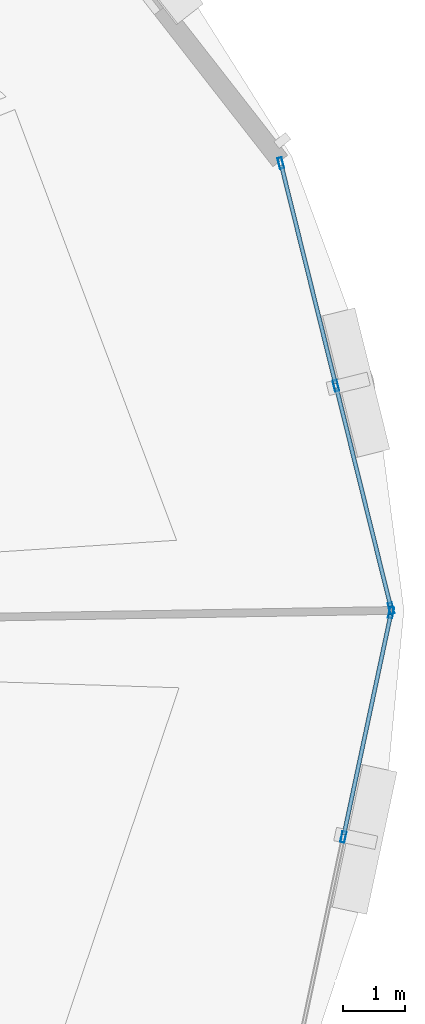
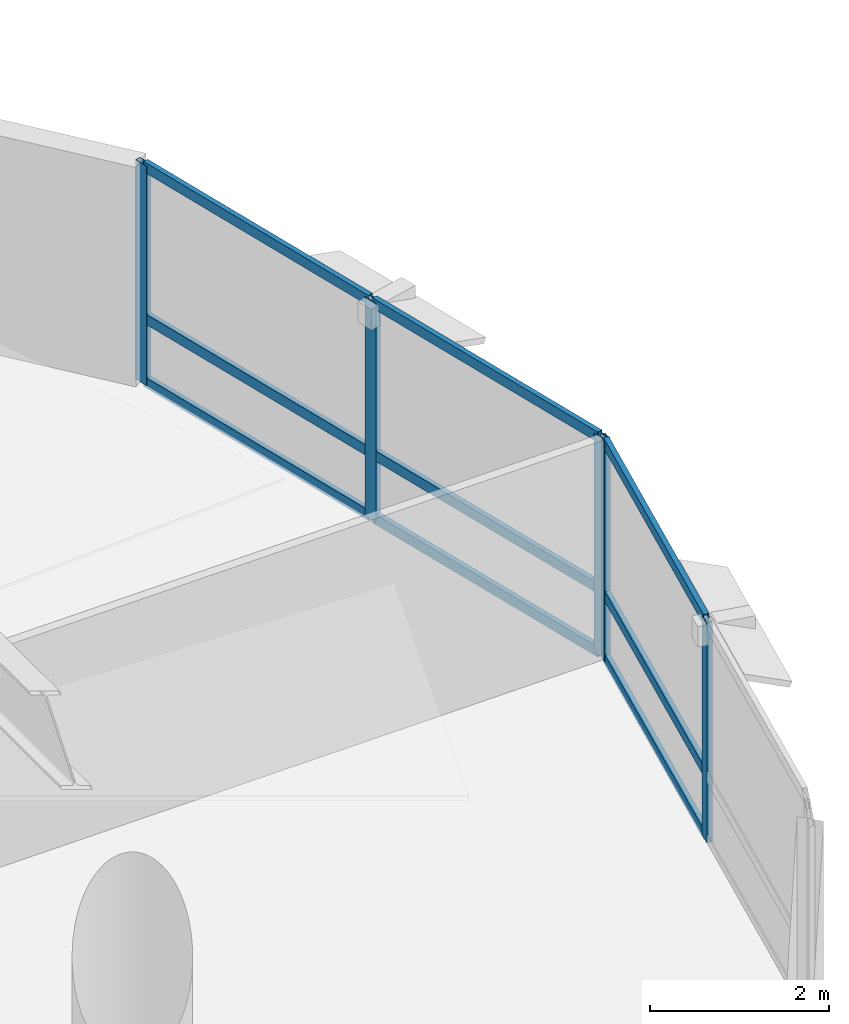
# One storey, part 10 of 17: 14 members, 2 elements without a shape of their own.
"""IFC4 building model written with IfcOpenShell, lengths in metres."""

from ifc_helpers import new_model, si_unit, direction, frame, origin, origin_2d, place, context, subcontext, project, spatial, hollow_rectangle, extrude, material, layer, layer_set, material_profile, profile_set, type_object, element, aggregate, save


model = new_model("IFC4")

# Units and contexts
model_context = context("Model", 3, precision=1e-05, world=origin(), true_north=direction((0.0, 1.0)))
body_context = subcontext(model_context, "Body", "Model", "MODEL_VIEW")
ifc_project = project(units=[si_unit("LENGTHUNIT", "METRE"), si_unit("AREAUNIT", "SQUARE_METRE"), si_unit("VOLUMEUNIT", "CUBIC_METRE"), si_unit("PLANEANGLEUNIT", "RADIAN"), si_unit("MASSUNIT", "GRAM", prefix="KILO"), si_unit("THERMODYNAMICTEMPERATUREUNIT", "KELVIN"), si_unit("POWERUNIT", "WATT")], contexts=[model_context])

# Site, building, storey
site_placement = place(None, origin())
site = spatial("IfcSite", under=ifc_project, at=site_placement, CompositionType="ELEMENT")
building_placement = place(site_placement, origin())
building = spatial("IfcBuilding", under=site, at=building_placement, Name="Ocrelia Relay Tower", CompositionType="ELEMENT")
storey_placement = place(building_placement, frame((0.0, 0.0, 34.199951171875)))
storey = spatial("IfcBuildingStorey", under=building, at=storey_placement, Name="L07", CompositionType="ELEMENT", Elevation=34.199951171875)

# Curtain wall, members
ifc_material_1 = material(Name="Aluminium and solar-control low-E glass", Category="aluminium")
ifc_layer = layer(ifc_material_1, 0.179931640625, Name="Aluminium and solar-control low-E glass")
ifc_layer_set = layer_set([ifc_layer], Name="Aluminium and solar-control low-E glass")
curtain_wall_type = type_object("IfcCurtainWallType", Name="CW-SYS-Z1-DATA", PredefinedType="NOTDEFINED", material=ifc_layer_set)
curtain_wall_1_placement = place(storey_placement, origin())
curtain_wall_1 = element("IfcCurtainWall", 1, at=curtain_wall_1_placement, inside=storey, type_object=curtain_wall_type, Name="L07 Elliptical Tower Curtain Wall Bay 01", PredefinedType="NOTDEFINED")
ifc_material_2 = material(Name="Anodised bronze aluminium", Category="aluminium")
ifc_material_profile_1 = material_profile(ifc_material_2, hollow_rectangle(XDim=0.070068359375, YDim=0.179931640625, WallThickness=0.006103515625, at=origin_2d()), Name="CW-MUL-180x70")
ifc_profile_set_1 = profile_set([ifc_material_profile_1], Name="Anodised bronze aluminium")
member_type_1 = type_object("IfcMemberType", Name="CW-SYS-Z1-DATA-MUL", PredefinedType="MULLION", material=ifc_profile_set_1)
member_1_placement = place(storey_placement, frame((61.787841796875, 26.494873046875, 0.0), z_axis=(0.0, 0.0, 1.0), x_axis=(-0.970674438779, -0.240397865841, 0.0)))
member_1 = element("IfcMember", 2, at=member_1_placement, type_object=member_type_1, Name="CW-Z1 mullion 1", PredefinedType="MULLION", context=body_context, shape_type="SweptSolid", body=[
    extrude(hollow_rectangle(XDim=0.070068359375, YDim=0.179931640625, WallThickness=0.006103515625, at=origin_2d()), origin(), (0.0, 0.0, 1.0), 3.0),
])
member_2_placement = place(storey_placement, frame((60.897705078125, 30.089111328125, 0.0), z_axis=(0.0, 0.0, 1.0), x_axis=(-0.970674438779, -0.240397865841, 0.0)))
member_2 = element("IfcMember", 3, at=member_2_placement, type_object=member_type_1, Name="CW-Z1 mullion 2", PredefinedType="MULLION", context=body_context, shape_type="SweptSolid", body=[
    extrude(hollow_rectangle(XDim=0.070068359375, YDim=0.179931640625, WallThickness=0.006103515625, at=origin_2d()), origin(), (0.0, 0.0, 1.0), 3.0),
])
member_3_placement = place(storey_placement, frame((60.007568359375, 33.68310546875, 0.0), z_axis=(0.0, 0.0, 1.0), x_axis=(-0.970674438779, -0.240397865841, 0.0)))
member_3 = element("IfcMember", 4, at=member_3_placement, type_object=member_type_1, Name="CW-Z1 mullion 3", PredefinedType="MULLION", context=body_context, shape_type="SweptSolid", body=[
    extrude(hollow_rectangle(XDim=0.070068359375, YDim=0.179931640625, WallThickness=0.006103515625, at=origin_2d()), origin(), (0.0, 0.0, 1.0), 3.0),
])

curtain_wall_2_placement = place(storey_placement, origin())
curtain_wall_2 = element("IfcCurtainWall", 5, at=curtain_wall_2_placement, inside=storey, type_object=curtain_wall_type, Name="L07 Elliptical Tower Curtain Wall Bay 18", PredefinedType="NOTDEFINED")
member_4_placement = place(storey_placement, frame((61.018310546875, 22.804931640625, 0.0), z_axis=(0.0, 0.0, 1.0), x_axis=(-0.978108709763, 0.208094574378, 0.0)))
member_4 = element("IfcMember", 6, at=member_4_placement, type_object=member_type_1, Name="CW-Z1 mullion 2", PredefinedType="MULLION", context=body_context, shape_type="SweptSolid", body=[
    extrude(hollow_rectangle(XDim=0.070068359375, YDim=0.179931640625, WallThickness=0.006103515625, at=origin_2d()), origin(), (0.0, 0.0, 1.0), 3.0),
])
member_5_placement = place(storey_placement, frame((61.788818359375, 26.4267578125, 0.0), z_axis=(0.0, 0.0, 1.0), x_axis=(-0.978108709763, 0.208094574378, 0.0)))
member_5 = element("IfcMember", 7, at=member_5_placement, type_object=member_type_1, Name="CW-Z1 mullion 3", PredefinedType="MULLION", context=body_context, shape_type="SweptSolid", body=[
    extrude(hollow_rectangle(XDim=0.070068359375, YDim=0.179931640625, WallThickness=0.006103515625, at=origin_2d()), origin(), (0.0, 0.0, 1.0), 3.0),
])

# Member
ifc_material_profile_2 = material_profile(ifc_material_2, hollow_rectangle(XDim=0.06494140625, YDim=0.139892578125, WallThickness=0.0048828125, at=origin_2d()), Name="CW-TRN-140x65")
ifc_profile_set_2 = profile_set([ifc_material_profile_2], Name="Anodised bronze aluminium")
member_type_2 = type_object("IfcMemberType", Name="CW-SYS-Z1-DATA-TRN", PredefinedType="USERDEFINED", material=ifc_profile_set_2)
member_6_placement = place(storey_placement, frame((61.779296875, 26.52880859375, 0.032470703125), z_axis=(-0.240384538469, 0.970677739348, 0.0), x_axis=(-0.970677739348, -0.240384538469, 0.0)))
member_6 = element("IfcMember", 8, at=member_6_placement, type_object=member_type_2, Name="CW-Z1 transom 1.1", ObjectType="TRANSOM", PredefinedType="USERDEFINED", context=body_context, shape_type="SweptSolid", body=[
    extrude(hollow_rectangle(XDim=0.06494140625, YDim=0.139892578125, WallThickness=0.0048828125, at=origin_2d()), origin(), (0.0, 0.0, 1.0), 3.6328125),
])

member_7_placement = place(storey_placement, frame((61.779296875, 26.52880859375, 0.900146484375), z_axis=(-0.240384538469, 0.970677739348, 0.0), x_axis=(-0.970677739348, -0.240384538469, 0.0)))
member_7 = element("IfcMember", 9, at=member_7_placement, type_object=member_type_2, Name="CW-Z1 transom 1.2", ObjectType="TRANSOM", PredefinedType="USERDEFINED", context=body_context, shape_type="SweptSolid", body=[
    extrude(hollow_rectangle(XDim=0.06494140625, YDim=0.139892578125, WallThickness=0.0048828125, at=origin_2d()), origin(), (0.0, 0.0, 1.0), 3.6328125),
])

member_8_placement = place(storey_placement, frame((61.779296875, 26.52880859375, 2.967529296875), z_axis=(-0.240384538469, 0.970677739348, 0.0), x_axis=(-0.970677739348, -0.240384538469, 0.0)))
member_8 = element("IfcMember", 10, at=member_8_placement, type_object=member_type_2, Name="CW-Z1 transom 1.3", ObjectType="TRANSOM", PredefinedType="USERDEFINED", context=body_context, shape_type="SweptSolid", body=[
    extrude(hollow_rectangle(XDim=0.06494140625, YDim=0.139892578125, WallThickness=0.0048828125, at=origin_2d()), origin(), (0.0, 0.0, 1.0), 3.6328125),
])

member_9_placement = place(storey_placement, frame((60.88916015625, 30.123046875, 0.032470703125), z_axis=(-0.240400220296, 0.97067385567, 0.0), x_axis=(-0.97067385567, -0.240400220296, 0.0)))
member_9 = element("IfcMember", 11, at=member_9_placement, type_object=member_type_2, Name="CW-Z1 transom 2.1", ObjectType="TRANSOM", PredefinedType="USERDEFINED", context=body_context, shape_type="SweptSolid", body=[
    extrude(hollow_rectangle(XDim=0.06494140625, YDim=0.139892578125, WallThickness=0.0048828125, at=origin_2d()), origin(), (0.0, 0.0, 1.0), 3.632568359375),
])

member_10_placement = place(storey_placement, frame((60.88916015625, 30.123046875, 0.900146484375), z_axis=(-0.240400220296, 0.97067385567, 0.0), x_axis=(-0.97067385567, -0.240400220296, 0.0)))
member_10 = element("IfcMember", 12, at=member_10_placement, type_object=member_type_2, Name="CW-Z1 transom 2.2", ObjectType="TRANSOM", PredefinedType="USERDEFINED", context=body_context, shape_type="SweptSolid", body=[
    extrude(hollow_rectangle(XDim=0.06494140625, YDim=0.139892578125, WallThickness=0.0048828125, at=origin_2d()), origin(), (0.0, 0.0, 1.0), 3.632568359375),
])

member_11_placement = place(storey_placement, frame((60.88916015625, 30.123046875, 2.967529296875), z_axis=(-0.240400220296, 0.97067385567, 0.0), x_axis=(-0.97067385567, -0.240400220296, 0.0)))
member_11 = element("IfcMember", 13, at=member_11_placement, type_object=member_type_2, Name="CW-Z1 transom 2.3", ObjectType="TRANSOM", PredefinedType="USERDEFINED", context=body_context, shape_type="SweptSolid", body=[
    extrude(hollow_rectangle(XDim=0.06494140625, YDim=0.139892578125, WallThickness=0.0048828125, at=origin_2d()), origin(), (0.0, 0.0, 1.0), 3.632568359375),
])

aggregate(curtain_wall_1, [member_1, member_2, member_3, member_6, member_7, member_8, member_9, member_10, member_11])

member_12_placement = place(storey_placement, frame((61.025634765625, 22.83935546875, 0.032470703125), z_axis=(0.208147317887, 0.97809748699, 0.0), x_axis=(-0.97809748699, 0.208147317887, 0.0)))
member_12 = element("IfcMember", 14, at=member_12_placement, type_object=member_type_2, Name="CW-Z1 transom 2.1", ObjectType="TRANSOM", PredefinedType="USERDEFINED", context=body_context, shape_type="SweptSolid", body=[
    extrude(hollow_rectangle(XDim=0.06494140625, YDim=0.139892578125, WallThickness=0.0048828125, at=origin_2d()), origin(), (0.0, 0.0, 1.0), 3.632568359375),
])

member_13_placement = place(storey_placement, frame((61.025634765625, 22.83935546875, 0.900146484375), z_axis=(0.208147317887, 0.97809748699, 0.0), x_axis=(-0.97809748699, 0.208147317887, 0.0)))
member_13 = element("IfcMember", 15, at=member_13_placement, type_object=member_type_2, Name="CW-Z1 transom 2.2", ObjectType="TRANSOM", PredefinedType="USERDEFINED", context=body_context, shape_type="SweptSolid", body=[
    extrude(hollow_rectangle(XDim=0.06494140625, YDim=0.139892578125, WallThickness=0.0048828125, at=origin_2d()), origin(), (0.0, 0.0, 1.0), 3.632568359375),
])

member_14_placement = place(storey_placement, frame((61.025634765625, 22.83935546875, 2.967529296875), z_axis=(0.208147317887, 0.97809748699, 0.0), x_axis=(-0.97809748699, 0.208147317887, 0.0)))
member_14 = element("IfcMember", 16, at=member_14_placement, type_object=member_type_2, Name="CW-Z1 transom 2.3", ObjectType="TRANSOM", PredefinedType="USERDEFINED", context=body_context, shape_type="SweptSolid", body=[
    extrude(hollow_rectangle(XDim=0.06494140625, YDim=0.139892578125, WallThickness=0.0048828125, at=origin_2d()), origin(), (0.0, 0.0, 1.0), 3.632568359375),
])

aggregate(curtain_wall_2, [member_4, member_5, member_12, member_13, member_14])

save(model, "model.ifc")
